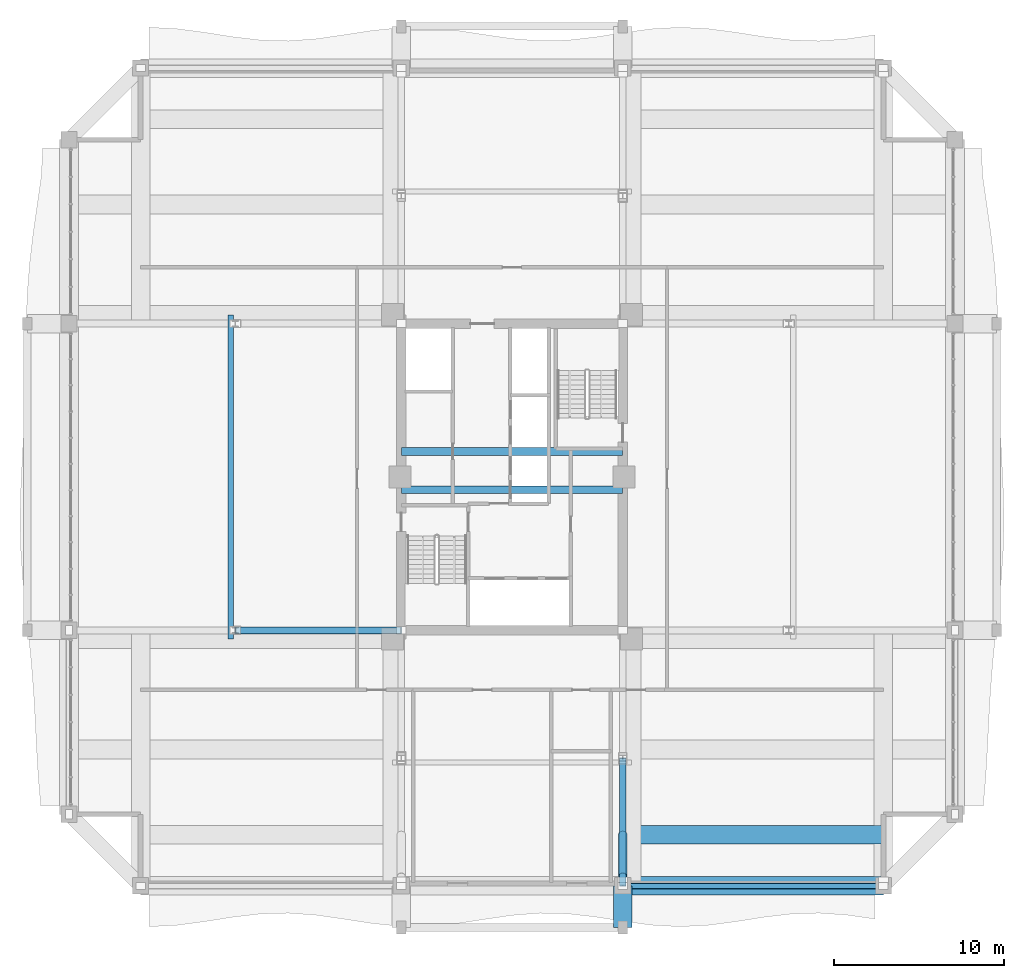
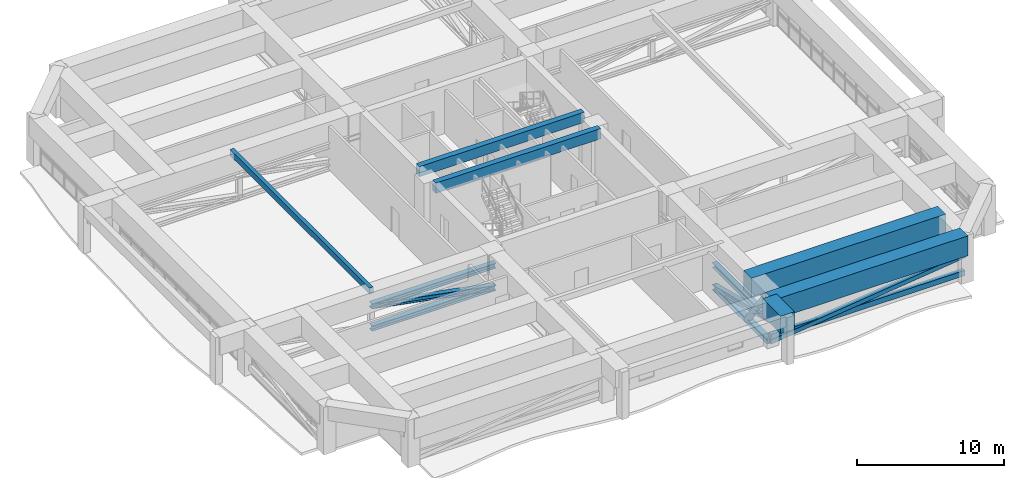
# One storey, part 11 of 35: 9 members, 6 beams.
"""IFC4 building model written with IfcOpenShell, lengths in metres."""

from ifc_helpers import new_model, si_unit, direction, frame, origin, origin_2d, place, context, subcontext, project, spatial, rectangle, hollow_rectangle, hollow_circle, i_section, extrude, source, transform, mapped, material, material_profile, profile_set, type_object, element, save


model = new_model("IFC4")

# Units and contexts
model_context = context("Model", 3, precision=1e-05, world=origin(), true_north=direction((0.0, 1.0)))
body_context = subcontext(model_context, "Body", "Model", "MODEL_VIEW")
ifc_project = project(units=[si_unit("LENGTHUNIT", "METRE"), si_unit("AREAUNIT", "SQUARE_METRE"), si_unit("VOLUMEUNIT", "CUBIC_METRE"), si_unit("PLANEANGLEUNIT", "RADIAN"), si_unit("MASSUNIT", "GRAM", prefix="KILO")], contexts=[model_context])

# Site, building, storey
site_placement = place(None, origin())
site = spatial("IfcSite", under=ifc_project, at=site_placement, CompositionType="ELEMENT")
building_placement = place(site_placement, origin())
building = spatial("IfcBuilding", under=site, at=building_placement, Name="Saelheon Loggia Tower", CompositionType="ELEMENT")
storey_placement = place(building_placement, frame((0.0, 0.0, 144.75)))
storey = spatial("IfcBuildingStorey", under=building, at=storey_placement, Name="L46", CompositionType="ELEMENT", Elevation=144.75)

# Beams
ifc_material_1 = material(Name="Concrete C50/60", Category="concrete")
ifc_material_profile_1 = material_profile(ifc_material_1, rectangle(XDim=0.449951171875, YDim=0.85009765625, at=origin_2d()), Name="RC-450x850")
ifc_profile_set_1 = profile_set([ifc_material_profile_1], Name="Concrete C50/60")
beam_type_1 = type_object("IfcBeamType", Name="Beam_CoreLintel_RC450x850", PredefinedType="LINTEL", material=ifc_profile_set_1)
shared_shape_1 = source(origin(), body_context, "Body", "SweptSolid", [
    extrude(rectangle(XDim=0.449951171875, YDim=0.85009765625, at=origin_2d()), origin(), (0.0, 0.0, 1.0), 13.0),
])
for number, where, z_axis, x_axis, name in (
    (1, (31.5, 26.25, 3.52490234375), (1.0, 0.0, 0.0), (0.0, 1.0, 0.0), "L46 Core Coupling Lintel 1"),
    (2, (31.5, 28.5, 3.52490234375), (1.0, 0.0, 0.0), (0.0, 1.0, 0.0), "L46 Core Coupling Lintel 2"),
):
    element("IfcBeam", number, at=place(storey_placement, frame(where, z_axis=z_axis, x_axis=x_axis)), inside=storey, type_object=beam_type_1, Name=name, PredefinedType="LINTEL", context=body_context, shape_type="MappedRepresentation", body=[
        mapped(shared_shape_1, transform((0.0, 0.0, 0.0), scale=1.0)),
    ])

# Member
ifc_material_2 = material(Name="Steel SM355", Category="steel")
ifc_material_profile_2 = material_profile(ifc_material_2, hollow_circle(Radius=0.25390625, WallThickness=0.02001953125, at=origin_2d()), Name="CHS-508x20")
ifc_profile_set_2 = profile_set([ifc_material_profile_2], Name="Steel SM355")
member_type_1 = type_object("IfcMemberType", Name="SkyPool_Strut_CHS508", PredefinedType="STRUT", material=ifc_profile_set_2)
shared_shape_2 = source(origin(), body_context, "Body", "SweptSolid", [
    extrude(hollow_circle(Radius=0.25390625, WallThickness=0.02001953125, at=origin_2d()), origin(), (0.0, 0.0, 1.0), 4.198974609375),
])
member_1_placement = place(storey_placement, frame((44.5, 6.0, 0.199951171875), z_axis=(0.0, -0.583463515817, 0.812139351165), x_axis=(1.0, 0.0, 0.0)))
element("IfcMember", 3, at=member_1_placement, inside=storey, type_object=member_type_1, Name="Sky Pool Cantilever Raker Strut 2", PredefinedType="STRUT", context=body_context, shape_type="MappedRepresentation", body=[
    mapped(shared_shape_2, transform((0.0, 0.0, 0.0), scale=1.0)),
])

# Beam
ifc_material_profile_3 = material_profile(ifc_material_1, rectangle(XDim=1.10009765625, YDim=1.449951171875, at=origin_2d()), Name="RC-1100x1450")
ifc_profile_set_3 = profile_set([ifc_material_profile_3], Name="Concrete C50/60")
beam_type_2 = type_object("IfcBeamType", Name="Beam_PerimTransfer_RC1100x1450", PredefinedType="BEAM", material=ifc_profile_set_3)
shared_shape_3 = source(origin(), body_context, "Body", "SweptSolid", [
    extrude(rectangle(XDim=1.10009765625, YDim=1.449951171875, at=origin_2d()), origin(), (0.0, 0.0, 1.0), 2.449951171875),
])
beam_1_placement = place(storey_placement, frame((44.5, 3.0, 3.22509765625), z_axis=(0.0, -1.0, 0.0), x_axis=(1.0, 0.0, 0.0)))
element("IfcBeam", 4, at=beam_1_placement, inside=storey, type_object=beam_type_2, Name="L46 Loggia Frame Tie Beam LP-S2", PredefinedType="BEAM", context=body_context, shape_type="MappedRepresentation", body=[
    mapped(shared_shape_3, transform((0.0, 0.0, 0.0), scale=1.0)),
])

# Members
ifc_material_profile_4 = material_profile(ifc_material_2, i_section(OverallWidth=0.406982421875, OverallDepth=0.427978515625, WebThickness=0.02001953125, FlangeThickness=0.034912109375, at=origin_2d()), Name="H-428x407x20x35")
ifc_profile_set_4 = profile_set([ifc_material_profile_4], Name="Steel SM355")
member_type_2 = type_object("IfcMemberType", Name="Outrigger_Chord_H428", PredefinedType="CHORD", material=ifc_profile_set_4)
shared_shape_4 = source(origin(), body_context, "Body", "SweptSolid", [
    extrude(i_section(OverallWidth=0.406982421875, OverallDepth=0.427978515625, WebThickness=0.02001953125, FlangeThickness=0.034912109375, at=origin_2d()), origin(), (0.0, 0.0, 1.0), 7.5),
])
for number, where, z_axis, x_axis, name in (
    (5, (44.5, 10.5, 0.219970703125), (0.0, -1.0, 0.0), (1.0, 0.0, 0.0), "L46 Outrigger Bottom Chord SE-S 2"),
    (6, (44.5, 10.5, 2.070068359375), (0.0, -1.0, 0.0), (1.0, 0.0, 0.0), "L46 Outrigger Top Chord SE-S 2"),
):
    element("IfcMember", number, at=place(storey_placement, frame(where, z_axis=z_axis, x_axis=x_axis)), inside=storey, type_object=member_type_2, Name=name, PredefinedType="CHORD", context=body_context, shape_type="MappedRepresentation", body=[
        mapped(shared_shape_4, transform((0.0, 0.0, 0.0), scale=1.0)),
    ])
ifc_material_profile_5 = material_profile(ifc_material_2, i_section(OverallWidth=0.39990234375, OverallDepth=0.39990234375, WebThickness=0.012939453125, FlangeThickness=0.02099609375, at=origin_2d()), Name="H-400x400x13x21")
ifc_profile_set_5 = profile_set([ifc_material_profile_5], Name="Steel SM355")
member_type_3 = type_object("IfcMemberType", Name="Outrigger_Brace_H400", PredefinedType="BRACE", material=ifc_profile_set_5)
shared_shape_5 = source(origin(), body_context, "Body", "SweptSolid", [
    extrude(i_section(OverallWidth=0.39990234375, OverallDepth=0.39990234375, WebThickness=0.012939453125, FlangeThickness=0.02099609375, at=origin_2d()), origin(), (0.0, 0.0, 1.0), 7.724853515625),
])
member_2_placement = place(storey_placement, frame((44.5, 10.5, 0.219970703125), z_axis=(0.0, -0.970896268456, 0.239500388098), x_axis=(1.0, 0.0, 0.0)))
element("IfcMember", 7, at=member_2_placement, inside=storey, type_object=member_type_3, Name="L46 Outrigger Diagonal SE-S 2", PredefinedType="BRACE", context=body_context, shape_type="MappedRepresentation", body=[
    mapped(shared_shape_5, transform((0.0, 0.0, 0.0), scale=1.0)),
])
shared_shape_6 = source(origin(), body_context, "Body", "SweptSolid", [
    extrude(i_section(OverallWidth=0.406982421875, OverallDepth=0.427978515625, WebThickness=0.02001953125, FlangeThickness=0.034912109375, at=origin_2d()), origin(), (0.0, 0.0, 1.0), 9.75),
])
for number, where, z_axis, x_axis, name in (
    (8, (31.5, 18.0, 0.219970703125), (-1.0, 0.0, 0.0), (0.0, -1.0, 0.0), "L46 Outrigger Bottom Chord SW-W 1"),
    (9, (31.5, 18.0, 2.070068359375), (-1.0, 0.0, 0.0), (0.0, -1.0, 0.0), "L46 Outrigger Top Chord SW-W 1"),
):
    element("IfcMember", number, at=place(storey_placement, frame(where, z_axis=z_axis, x_axis=x_axis)), inside=storey, type_object=member_type_2, Name=name, PredefinedType="CHORD", context=body_context, shape_type="MappedRepresentation", body=[
        mapped(shared_shape_6, transform((0.0, 0.0, 0.0), scale=1.0)),
    ])

# Beams
ifc_material_3 = material(Name="Concrete C40/50", Category="concrete")
ifc_material_profile_6 = material_profile(ifc_material_3, rectangle(XDim=0.300048828125, YDim=0.5, at=origin_2d()), Name="RC-300x500")
ifc_profile_set_6 = profile_set([ifc_material_profile_6], Name="Concrete C40/50")
beam_type_3 = type_object("IfcBeamType", Name="Beam_Joist_RC300x500", PredefinedType="JOIST", material=ifc_profile_set_6)
shared_shape_7 = source(origin(), body_context, "Body", "SweptSolid", [
    extrude(rectangle(XDim=0.300048828125, YDim=0.5, at=origin_2d()), origin(), (0.0, 0.0, 1.0), 19.0400390625),
])
beam_2_placement = place(storey_placement, frame((21.489990234375, 17.47998046875, 3.699951171875), z_axis=(0.0, 1.0, 0.0), x_axis=(-1.0, 0.0, 0.0)))
element("IfcBeam", 10, at=beam_2_placement, inside=storey, type_object=beam_type_3, Name="L46 West Floor Joist", PredefinedType="JOIST", context=body_context, shape_type="MappedRepresentation", body=[
    mapped(shared_shape_7, transform((0.0, 0.0, 0.0), scale=1.0)),
])
ifc_material_profile_7 = material_profile(ifc_material_1, rectangle(XDim=1.10009765625, YDim=1.64990234375, at=origin_2d()), Name="RC-1100x1650")
ifc_profile_set_7 = profile_set([ifc_material_profile_7], Name="Concrete C50/60")
beam_type_4 = type_object("IfcBeamType", Name="Beam_PerimMega_RC1100x1650", PredefinedType="BEAM", material=ifc_profile_set_7)
shared_shape_8 = source(origin(), body_context, "Body", "SweptSolid", [
    extrude(rectangle(XDim=1.10009765625, YDim=1.64990234375, at=origin_2d()), origin(), (0.0, 0.0, 1.0), 15.300048828125),
])
beam_3_placement = place(storey_placement, frame((44.5, 3.0, 3.125), z_axis=(1.0, 0.0, 0.0), x_axis=(0.0, 1.0, 0.0)))
element("IfcBeam", 11, at=beam_3_placement, inside=storey, type_object=beam_type_4, Name="L46 Perimeter Frame Girder 03", PredefinedType="BEAM", context=body_context, shape_type="MappedRepresentation", body=[
    mapped(shared_shape_8, transform((0.0, 0.0, 0.0), scale=1.0)),
])
ifc_material_profile_8 = material_profile(ifc_material_1, rectangle(XDim=1.10009765625, YDim=1.64990234375, at=origin_2d()), Name="RC-1100x1650")
ifc_profile_set_8 = profile_set([ifc_material_profile_8], Name="Concrete C50/60")
beam_type_5 = type_object("IfcBeamType", Name="Beam_MegaTransfer_RC1100x1650", PredefinedType="BEAM", material=ifc_profile_set_8)
beam_4_placement = place(storey_placement, frame((44.5, 6.0, 3.125), z_axis=(1.0, 0.0, 0.0), x_axis=(0.0, 1.0, 0.0)))
element("IfcBeam", 12, at=beam_4_placement, inside=storey, type_object=beam_type_5, Name="TG-L46-NYS-E", PredefinedType="BEAM", context=body_context, shape_type="MappedRepresentation", body=[
    mapped(shared_shape_8, transform((0.0, 0.0, 0.0), scale=1.0)),
])

# Members
shared_shape_9 = source(origin(), body_context, "Body", "SweptSolid", [
    extrude(i_section(OverallWidth=0.39990234375, OverallDepth=0.39990234375, WebThickness=0.012939453125, FlangeThickness=0.02099609375, at=origin_2d()), origin(), (0.0, 0.0, 1.0), 9.924072265625),
])
member_3_placement = place(storey_placement, frame((31.5, 18.0, 0.219970703125), z_axis=(-0.982468815564, 0.0, 0.186427000309), x_axis=(0.0, -1.0, 0.0)))
element("IfcMember", 13, at=member_3_placement, inside=storey, type_object=member_type_3, Name="L46 Outrigger Diagonal SW-W 1", PredefinedType="BRACE", context=body_context, shape_type="MappedRepresentation", body=[
    mapped(shared_shape_9, transform((0.0, 0.0, 0.0), scale=1.0)),
])
ifc_material_profile_9 = material_profile(ifc_material_2, hollow_rectangle(XDim=0.300048828125, YDim=0.449951171875, WallThickness=0.02001953125, at=origin_2d()), Name="RHS-450x300x20")
ifc_profile_set_9 = profile_set([ifc_material_profile_9], Name="Steel SM355")
member_type_4 = type_object("IfcMemberType", Name="Belt_Chord_RHS450", PredefinedType="CHORD", material=ifc_profile_set_9)
shared_shape_10 = source(origin(), body_context, "Body", "SweptSolid", [
    extrude(hollow_rectangle(XDim=0.300048828125, YDim=0.449951171875, WallThickness=0.02001953125, at=origin_2d()), origin(), (0.0, 0.0, 1.0), 15.300048828125),
])
member_4_placement = place(storey_placement, frame((44.5, 3.0, 0.6201171875), z_axis=(1.0, 0.0, 0.0), x_axis=(0.0, 1.0, 0.0)))
element("IfcMember", 14, at=member_4_placement, inside=storey, type_object=member_type_4, Name="L46 Belt Truss Chord BS2", PredefinedType="CHORD", context=body_context, shape_type="MappedRepresentation", body=[
    mapped(shared_shape_10, transform((0.0, 0.0, 0.0), scale=1.0)),
])
ifc_material_profile_10 = material_profile(ifc_material_2, hollow_rectangle(XDim=0.35009765625, YDim=0.35009765625, WallThickness=0.01611328125, at=origin_2d()), Name="RHS-350x350x16")
ifc_profile_set_10 = profile_set([ifc_material_profile_10], Name="Steel SM355")
member_type_5 = type_object("IfcMemberType", Name="Belt_Brace_RHS350", PredefinedType="BRACE", material=ifc_profile_set_10)
shared_shape_11 = source(origin(), body_context, "Body", "SweptSolid", [
    extrude(hollow_rectangle(XDim=0.35009765625, YDim=0.35009765625, WallThickness=0.01611328125, at=origin_2d()), origin(), (0.0, 0.0, 1.0), 15.41162109375),
])
member_5_placement = place(storey_placement, frame((44.5, 3.0, 0.219970703125), z_axis=(0.992768262654, 0.0, 0.120046560411), x_axis=(0.0, 1.0, 0.0)))
element("IfcMember", 15, at=member_5_placement, inside=storey, type_object=member_type_5, Name="L46 Belt Truss Brace BS2", PredefinedType="BRACE", context=body_context, shape_type="MappedRepresentation", body=[
    mapped(shared_shape_11, transform((0.0, 0.0, 0.0), scale=1.0)),
])

save(model, "model.ifc")
